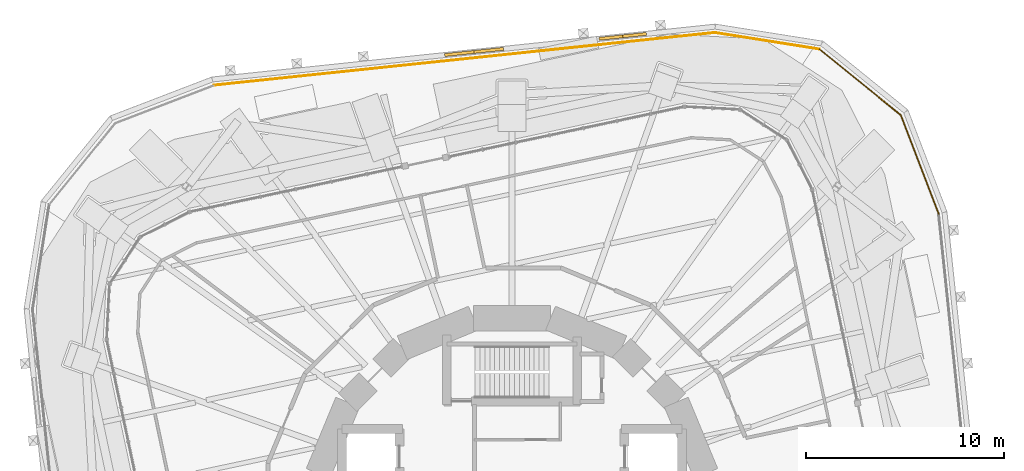
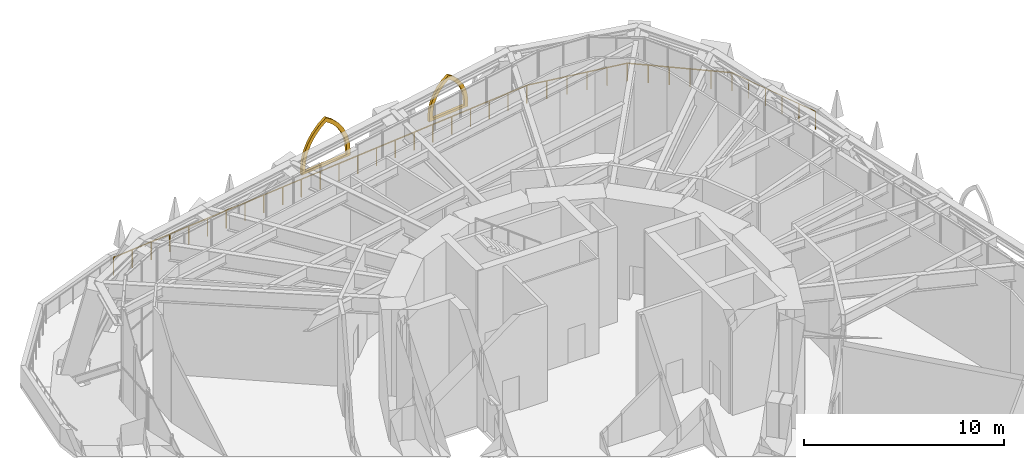
# One storey, part 19 of 23: 4 railings, 2 shading devices.
"""IFC4 building model written with IfcOpenShell, lengths in metres."""

from ifc_helpers import new_model, si_unit, direction, frame, origin, origin_2d, place, context, subcontext, project, spatial, polyline, circle, outline, extrude, material, type_object, element, save


model = new_model("IFC4")

# Units and contexts
model_context = context("Model", 3, precision=1e-05, world=origin(), true_north=direction((0.0, 1.0)))
body_context = subcontext(model_context, "Body", "Model", "MODEL_VIEW")
ifc_project = project(units=[si_unit("LENGTHUNIT", "METRE"), si_unit("AREAUNIT", "SQUARE_METRE"), si_unit("VOLUMEUNIT", "CUBIC_METRE"), si_unit("PLANEANGLEUNIT", "RADIAN"), si_unit("MASSUNIT", "GRAM", prefix="KILO")], contexts=[model_context])

# Site, building, storey
site_placement = place(None, origin())
site = spatial("IfcSite", under=ifc_project, at=site_placement, CompositionType="ELEMENT")
building_placement = place(site_placement, origin())
building = spatial("IfcBuilding", under=site, at=building_placement, Name="Nakasero Lantern House", CompositionType="ELEMENT")
storey_placement = place(building_placement, frame((0.0, 0.0, 95.14990234375)))
storey = spatial("IfcBuildingStorey", under=building, at=storey_placement, Name="L23", CompositionType="ELEMENT", Elevation=95.14990234375)

# Shading devices
ifc_material_1 = material(Name="Aluminium 6063-T6", Category="aluminium")
shading_device_type_1 = type_object("IfcShadingDeviceType", Name="Lancet screen 2400", PredefinedType="USERDEFINED", material=ifc_material_1)
shading_device_1_placement = place(storey_placement, frame((5.603759765625, 24.067626953125, 1.10009765625), z_axis=(0.0, 0.0, 1.0), x_axis=(-0.994521895, -0.104528463, 0.0)))
element("IfcShadingDevice", 1, at=shading_device_1_placement, inside=storey, type_object=shading_device_type_1, Name="Tracery screen L23 1-00", ObjectType="LANCET SCREEN", PredefinedType="USERDEFINED", context=body_context, shape_type="SweptSolid", body=[
    extrude(outline(polyline([(-1.199951171875, 0.0), (1.199951171875, 0.0), (1.199951171875, 0.300048828125), (1.16357421875, 0.716796875), (1.05517578125, 1.120849609375), (0.87841796875, 1.5), (0.638427734375, 1.8427734375), (0.3427734375, 2.138427734375), (0.0, 2.37841796875), (-0.3427734375, 2.138427734375), (-0.638427734375, 1.8427734375), (-0.87841796875, 1.5), (-1.05517578125, 1.120849609375), (-1.16357421875, 0.716796875), (-1.199951171875, 0.300048828125), (-1.199951171875, 0.0)]), holes=[polyline([(-0.97998046875, 0.14990234375), (0.97998046875, 0.14990234375), (0.97998046875, 0.300048828125), (0.950439453125, 0.6572265625), (0.86279296875, 1.0048828125), (0.719482421875, 1.33349609375), (0.524169921875, 1.63427734375), (0.281982421875, 1.898681640625), (0.0, 2.1201171875), (-0.281982421875, 1.898681640625), (-0.524169921875, 1.63427734375), (-0.719482421875, 1.33349609375), (-0.86279296875, 1.0048828125), (-0.950439453125, 0.6572265625), (-0.97998046875, 0.300048828125), (-0.97998046875, 0.14990234375)])]), frame((0.0, 0.074951171875, 0.0), z_axis=(0.0, -1.0, 0.0), x_axis=(1.0, 0.0, 0.0)), (0.0, 0.0, 1.0), 0.14990234375),
])
ifc_material_2 = material(Name="Aluminium 6063-T6", Category="aluminium")
shading_device_type_2 = type_object("IfcShadingDeviceType", Name="Lancet screen 3000", PredefinedType="USERDEFINED", material=ifc_material_2)
shading_device_2_placement = place(storey_placement, frame((-1.91455078125, 23.27734375, 1.10009765625), z_axis=(0.0, 0.0, 1.0), x_axis=(-0.994521895, -0.104528463, 0.0)))
element("IfcShadingDevice", 2, at=shading_device_2_placement, inside=storey, type_object=shading_device_type_2, Name="Tracery screen L23 1-01", ObjectType="LANCET SCREEN", PredefinedType="USERDEFINED", context=body_context, shape_type="SweptSolid", body=[
    extrude(outline(polyline([(-1.5, 0.0), (1.5, 0.0), (1.5, 0.300048828125), (1.454345703125, 0.821044921875), (1.319091796875, 1.326171875), (1.09814453125, 1.800048828125), (0.798095703125, 2.228271484375), (0.428466796875, 2.59814453125), (0.0, 2.898193359375), (-0.428466796875, 2.59814453125), (-0.798095703125, 2.228271484375), (-1.09814453125, 1.800048828125), (-1.319091796875, 1.326171875), (-1.454345703125, 0.821044921875), (-1.5, 0.300048828125), (-1.5, 0.0)]), holes=[polyline([(-1.280029296875, 0.14990234375), (1.280029296875, 0.14990234375), (1.280029296875, 0.300048828125), (1.241455078125, 0.761474609375), (1.126708984375, 1.21044921875), (0.939208984375, 1.6337890625), (0.683837890625, 2.020263671875), (0.367919921875, 2.359130859375), (0.0, 2.640625), (-0.367919921875, 2.359130859375), (-0.683837890625, 2.020263671875), (-0.939208984375, 1.6337890625), (-1.126708984375, 1.21044921875), (-1.241455078125, 0.761474609375), (-1.280029296875, 0.300048828125), (-1.280029296875, 0.14990234375)])]), frame((0.0, 0.074951171875, 0.0), z_axis=(0.0, -1.0, 0.0), x_axis=(1.0, 0.0, 0.0)), (0.0, 0.0, 1.0), 0.14990234375),
])

# Railings
ifc_material_3 = material(Name="Aluminium 6063-T6", Category="aluminium")
railing_type = type_object("IfcRailingType", Name="Sky garden guard 1100", PredefinedType="GUARDRAIL", material=ifc_material_3)
railing_1_placement = place(storey_placement, frame((-15.080322265625, 21.592041015625, 0.0)))
element("IfcRailing", 3, at=railing_1_placement, inside=storey, type_object=railing_type, Name="Sky garden guard L23 7", PredefinedType="GUARDRAIL", context=body_context, shape_type="SweptSolid", body=[
    extrude(circle(Radius=0.02392578125, at=origin_2d()), frame((0.0, 0.0, 1.076171875), z_axis=(0.994521715706, 0.104530172624, 0.0), x_axis=(-0.104530172624, 0.994521715706, 0.0)), (0.0, 0.0, 1.0), 25.4814453125),
    extrude(circle(Radius=0.02099609375, at=origin_2d()), origin(), (0.0, 0.0, 1.0), 1.052001953125),
    extrude(circle(Radius=0.02099609375, at=origin_2d()), frame((1.15185546875, 0.12109375, 0.0)), (0.0, 0.0, 1.0), 1.052001953125),
    extrude(circle(Radius=0.02099609375, at=origin_2d()), frame((2.3037109375, 0.2421875, 0.0)), (0.0, 0.0, 1.0), 1.052001953125),
    extrude(circle(Radius=0.02099609375, at=origin_2d()), frame((3.455810546875, 0.36328125, 0.0)), (0.0, 0.0, 1.0), 1.052001953125),
    extrude(circle(Radius=0.02099609375, at=origin_2d()), frame((4.607666015625, 0.484375, 0.0)), (0.0, 0.0, 1.0), 1.052001953125),
    extrude(circle(Radius=0.02099609375, at=origin_2d()), frame((5.759521484375, 0.60546875, 0.0)), (0.0, 0.0, 1.0), 1.052001953125),
    extrude(circle(Radius=0.02099609375, at=origin_2d()), frame((6.911376953125, 0.726318359375, 0.0)), (0.0, 0.0, 1.0), 1.052001953125),
    extrude(circle(Radius=0.02099609375, at=origin_2d()), frame((8.063232421875, 0.847412109375, 0.0)), (0.0, 0.0, 1.0), 1.052001953125),
    extrude(circle(Radius=0.02099609375, at=origin_2d()), frame((9.215087890625, 0.968505859375, 0.0)), (0.0, 0.0, 1.0), 1.052001953125),
    extrude(circle(Radius=0.02099609375, at=origin_2d()), frame((10.3671875, 1.089599609375, 0.0)), (0.0, 0.0, 1.0), 1.052001953125),
    extrude(circle(Radius=0.02099609375, at=origin_2d()), frame((11.51904296875, 1.210693359375, 0.0)), (0.0, 0.0, 1.0), 1.052001953125),
    extrude(circle(Radius=0.02099609375, at=origin_2d()), frame((12.6708984375, 1.331787109375, 0.0)), (0.0, 0.0, 1.0), 1.052001953125),
    extrude(circle(Radius=0.02099609375, at=origin_2d()), frame((13.82275390625, 1.452880859375, 0.0)), (0.0, 0.0, 1.0), 1.052001953125),
    extrude(circle(Radius=0.02099609375, at=origin_2d()), frame((14.974609375, 1.573974609375, 0.0)), (0.0, 0.0, 1.0), 1.052001953125),
    extrude(circle(Radius=0.02099609375, at=origin_2d()), frame((16.126708984375, 1.695068359375, 0.0)), (0.0, 0.0, 1.0), 1.052001953125),
    extrude(circle(Radius=0.02099609375, at=origin_2d()), frame((17.278564453125, 1.816162109375, 0.0)), (0.0, 0.0, 1.0), 1.052001953125),
    extrude(circle(Radius=0.02099609375, at=origin_2d()), frame((18.430419921875, 1.937255859375, 0.0)), (0.0, 0.0, 1.0), 1.052001953125),
    extrude(circle(Radius=0.02099609375, at=origin_2d()), frame((19.582275390625, 2.05810546875, 0.0)), (0.0, 0.0, 1.0), 1.052001953125),
    extrude(circle(Radius=0.02099609375, at=origin_2d()), frame((20.734130859375, 2.17919921875, 0.0)), (0.0, 0.0, 1.0), 1.052001953125),
    extrude(circle(Radius=0.02099609375, at=origin_2d()), frame((21.885986328125, 2.30029296875, 0.0)), (0.0, 0.0, 1.0), 1.052001953125),
    extrude(circle(Radius=0.02099609375, at=origin_2d()), frame((23.0380859375, 2.42138671875, 0.0)), (0.0, 0.0, 1.0), 1.052001953125),
    extrude(circle(Radius=0.02099609375, at=origin_2d()), frame((24.18994140625, 2.54248046875, 0.0)), (0.0, 0.0, 1.0), 1.052001953125),
    extrude(circle(Radius=0.02099609375, at=origin_2d()), frame((25.341796875, 2.66357421875, 0.0)), (0.0, 0.0, 1.0), 1.052001953125),
])
railing_2_placement = place(storey_placement, frame((10.261474609375, 24.255615234375, 0.0)))
element("IfcRailing", 4, at=railing_2_placement, inside=storey, type_object=railing_type, Name="Sky garden guard L23 9", PredefinedType="GUARDRAIL", context=body_context, shape_type="SweptSolid", body=[
    extrude(circle(Radius=0.02392578125, at=origin_2d()), frame((0.0, 0.0, 1.076171875), z_axis=(0.987686754415, -0.156444479459, 0.0), x_axis=(0.156444479459, 0.987686754415, 0.0)), (0.0, 0.0, 1.0), 5.35888671875),
    extrude(circle(Radius=0.02099609375, at=origin_2d()), origin(), (0.0, 0.0, 1.0), 1.052001953125),
    extrude(circle(Radius=0.02099609375, at=origin_2d()), frame((1.05859375, -0.167724609375, 0.0)), (0.0, 0.0, 1.0), 1.052001953125),
    extrude(circle(Radius=0.02099609375, at=origin_2d()), frame((2.1171875, -0.33544921875, 0.0)), (0.0, 0.0, 1.0), 1.052001953125),
    extrude(circle(Radius=0.02099609375, at=origin_2d()), frame((3.17578125, -0.5029296875, 0.0)), (0.0, 0.0, 1.0), 1.052001953125),
    extrude(circle(Radius=0.02099609375, at=origin_2d()), frame((4.234375, -0.670654296875, 0.0)), (0.0, 0.0, 1.0), 1.052001953125),
    extrude(circle(Radius=0.02099609375, at=origin_2d()), frame((5.29296875, -0.83837890625, 0.0)), (0.0, 0.0, 1.0), 1.052001953125),
])
railing_3_placement = place(storey_placement, frame((15.554443359375, 23.417236328125, 0.0)))
element("IfcRailing", 5, at=railing_3_placement, inside=storey, type_object=railing_type, Name="Sky garden guard L23 11", PredefinedType="GUARDRAIL", context=body_context, shape_type="SweptSolid", body=[
    extrude(circle(Radius=0.02392578125, at=origin_2d()), frame((0.0, 0.0, 1.076171875), z_axis=(0.777132170829, -0.629337420675, 0.0), x_axis=(0.629337420675, 0.777132170829, 0.0)), (0.0, 0.0, 1.0), 5.297607421875),
    extrude(circle(Radius=0.02099609375, at=origin_2d()), origin(), (0.0, 0.0, 1.0), 1.052001953125),
    extrude(circle(Radius=0.02099609375, at=origin_2d()), frame((0.823486328125, -0.666748046875, 0.0)), (0.0, 0.0, 1.0), 1.052001953125),
    extrude(circle(Radius=0.02099609375, at=origin_2d()), frame((1.646728515625, -1.33349609375, 0.0)), (0.0, 0.0, 1.0), 1.052001953125),
    extrude(circle(Radius=0.02099609375, at=origin_2d()), frame((2.47021484375, -2.00048828125, 0.0)), (0.0, 0.0, 1.0), 1.052001953125),
    extrude(circle(Radius=0.02099609375, at=origin_2d()), frame((3.29345703125, -2.667236328125, 0.0)), (0.0, 0.0, 1.0), 1.052001953125),
    extrude(circle(Radius=0.02099609375, at=origin_2d()), frame((4.116943359375, -3.333984375, 0.0)), (0.0, 0.0, 1.0), 1.052001953125),
])
railing_4_placement = place(storey_placement, frame((19.67138671875, 20.083251953125, 0.0)))
element("IfcRailing", 6, at=railing_4_placement, inside=storey, type_object=railing_type, Name="Sky garden guard L23 12", PredefinedType="GUARDRAIL", context=body_context, shape_type="SweptSolid", body=[
    extrude(circle(Radius=0.02392578125, at=origin_2d()), frame((0.0, 0.0, 1.076171875), z_axis=(0.358402025438, -0.933567345274, 0.0), x_axis=(0.933567345274, 0.358402025438, 0.0)), (0.0, 0.0, 1.0), 5.35888671875),
    extrude(circle(Radius=0.02099609375, at=origin_2d()), origin(), (0.0, 0.0, 1.0), 1.052001953125),
    extrude(circle(Radius=0.02099609375, at=origin_2d()), frame((0.384033203125, -1.00048828125, 0.0)), (0.0, 0.0, 1.0), 1.052001953125),
    extrude(circle(Radius=0.02099609375, at=origin_2d()), frame((0.768310546875, -2.001220703125, 0.0)), (0.0, 0.0, 1.0), 1.052001953125),
    extrude(circle(Radius=0.02099609375, at=origin_2d()), frame((1.15234375, -3.001708984375, 0.0)), (0.0, 0.0, 1.0), 1.052001953125),
    extrude(circle(Radius=0.02099609375, at=origin_2d()), frame((1.53662109375, -4.00244140625, 0.0)), (0.0, 0.0, 1.0), 1.052001953125),
    extrude(circle(Radius=0.02099609375, at=origin_2d()), frame((1.920654296875, -5.0029296875, 0.0)), (0.0, 0.0, 1.0), 1.052001953125),
])

save(model, "model.ifc")
